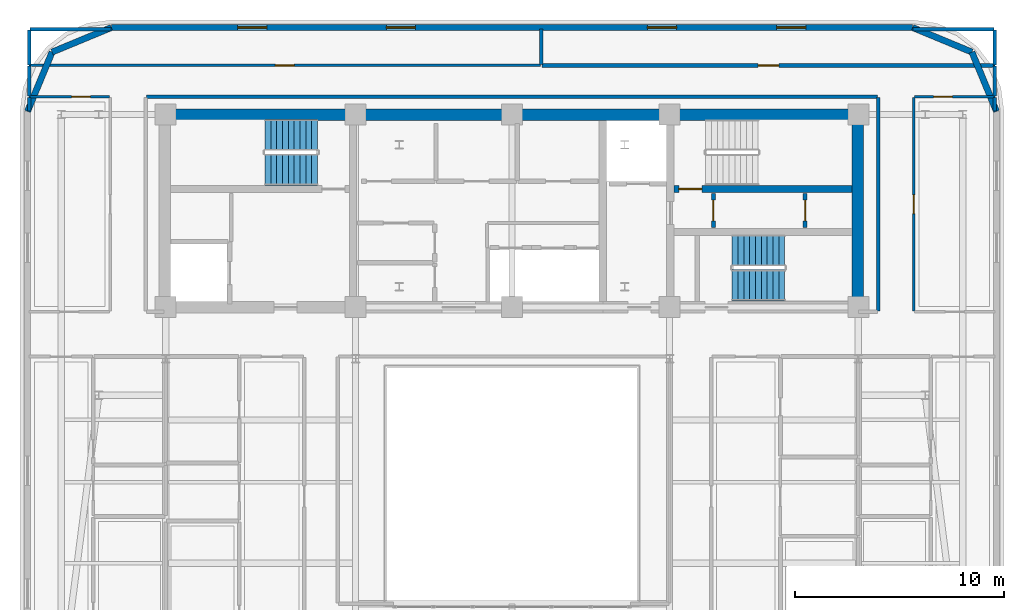
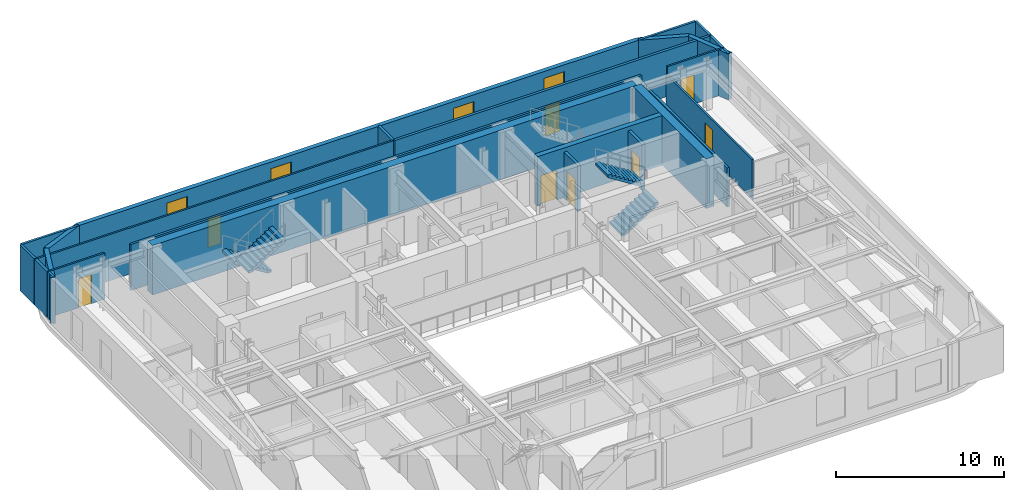
# One storey, part 10 of 15: 26 walls, 8 doors, 4 stair flights, 4 windows, 12 openings, 2 elements without a shape of their own.
"""IFC4 building model written with IfcOpenShell, lengths in metres."""

from ifc_helpers import new_model, si_unit, direction, frame, frame_2d, origin, place, context, subcontext, project, spatial, polyline, rectangle, outline, extrude, material, layer, layer_set, type_object, element, fill, aggregate, save


model = new_model("IFC4")

# Units and contexts
model_context = context("Model", 3, precision=1e-05, world=origin(), true_north=direction((0.0, 1.0)))
body_context = subcontext(model_context, "Body", "Model", "MODEL_VIEW")
ifc_project = project(units=[si_unit("LENGTHUNIT", "METRE"), si_unit("AREAUNIT", "SQUARE_METRE"), si_unit("VOLUMEUNIT", "CUBIC_METRE"), si_unit("PLANEANGLEUNIT", "RADIAN"), si_unit("MASSUNIT", "GRAM", prefix="KILO")], contexts=[model_context])

# Site, building, storey
site_placement = place(None, origin())
site = spatial("IfcSite", under=ifc_project, at=site_placement, CompositionType="ELEMENT")
building_placement = place(site_placement, origin())
building = spatial("IfcBuilding", under=site, at=building_placement, Name="Zarnavel Station Tower", CompositionType="ELEMENT")
storey_placement = place(building_placement, frame((0.0, 0.0, 200.39990234375)))
storey = spatial("IfcBuildingStorey", under=building, at=storey_placement, Name="L54", CompositionType="ELEMENT", Elevation=200.39990234375)

# Wall, opening, door
ifc_material_1 = material(Name="Concrete C50/60", Category="concrete")
ifc_layer_1 = layer(ifc_material_1, 0.35009765625)
ifc_layer_set_1 = layer_set([ifc_layer_1], Name="CW_350")
wall_type_1 = type_object("IfcWallType", Name="CW_350", PredefinedType="SHEAR", material=ifc_layer_set_1)
wall_1_placement = place(storey_placement, frame((45.10498046875, 33.47998046875, 0.0), z_axis=(0.0, 0.0, 1.0), x_axis=(-1.0, 0.0, 0.0)))
wall_1 = element("IfcWall", 1, at=wall_1_placement, inside=storey, type_object=wall_type_1, Name="L54 Rear Core Shear Wall DIV-H2", PredefinedType="SHEAR", context=body_context, shape_type="SweptSolid", body=[
    extrude(rectangle(XDim=8.550048828125, YDim=0.35009765625, at=frame_2d((4.27490234375, 0.0))), origin(), (0.0, 0.0, 1.0), 3.60009765625),
])
opening_1_placement = place(wall_1_placement, frame((7.205078125, 0.0, 0.0)))
opening_1 = element("IfcOpeningElement", 2, at=opening_1_placement, cuts=wall_1, Name="Opening FD01", PredefinedType="OPENING", context=body_context, shape_type="SweptSolid", body=[
    extrude(rectangle(XDim=1.10009765625, YDim=2.14990234375, at=frame_2d((0.550048828125, 1.074951171875))), frame((0.0, 0.18505859375, 0.0), z_axis=(0.0, -1.0, 0.0), x_axis=(1.0, 0.0, 0.0)), (0.0, 0.0, 1.0), 0.3701171875),
])
ifc_material_2 = material(Name="Painted Galvanised Steel and Hardwood Leaf", Category="steel")
door_type_1 = type_object("IfcDoorType", Name="ID_STAIR_1100", OperationType="NOTDEFINED", PredefinedType="DOOR", material=ifc_material_2)
door_1_placement = place(opening_1_placement, origin())
door_1 = element("IfcDoor", 3, at=door_1_placement, inside=storey, type_object=door_type_1, Name="L54 Stair ST2 Lobby Fire Door", OperationType="SINGLE_SWING_RIGHT", OverallHeight=2.14990234375, OverallWidth=1.10009765625, PredefinedType="DOOR", context=body_context, shape_type="SweptSolid", body=[
    extrude(rectangle(XDim=1.10009765625, YDim=2.14990234375, at=frame_2d((0.550048828125, 1.074951171875))), frame((0.0, 0.02490234375, 0.0), z_axis=(0.0, -1.0, 0.0), x_axis=(1.0, 0.0, 0.0)), (0.0, 0.0, 1.0), 0.050048828125),
])
fill(opening_1, door_1)

# Walls
ifc_material_3 = material(Name="Concrete C50/60", Category="concrete")
ifc_layer_2 = layer(ifc_material_3, 0.550048828125)
ifc_layer_set_2 = layer_set([ifc_layer_2], Name="CW_550")
wall_type_2 = type_object("IfcWallType", Name="CW_550", PredefinedType="SHEAR", material=ifc_layer_set_2)
wall_2_placement = place(storey_placement, frame((12.14990234375, 37.050048828125, 0.0), z_axis=(0.0, 0.0, 1.0), x_axis=(1.0, 0.0, 0.0)))
element("IfcWall", 4, at=wall_2_placement, inside=storey, type_object=wall_type_2, Name="L54 Rear Core Shear Wall N", PredefinedType="SHEAR", context=body_context, shape_type="SweptSolid", body=[
    extrude(rectangle(XDim=33.22998046875, YDim=0.550048828125, at=frame_2d((16.614990234375, 0.0))), origin(), (0.0, 0.0, 1.0), 3.60009765625),
])
wall_3_placement = place(storey_placement, frame((45.3798828125, 28.094970703125, 0.0), z_axis=(0.0, 0.0, 1.0), x_axis=(0.0, 1.0, 0.0)))
element("IfcWall", 5, at=wall_3_placement, inside=storey, type_object=wall_type_2, Name="L54 Rear Core Shear Wall E", PredefinedType="SHEAR", context=body_context, shape_type="SweptSolid", body=[
    extrude(rectangle(XDim=8.679931640625, YDim=0.550048828125, at=frame_2d((4.33984375, 0.0))), origin(), (0.0, 0.0, 1.0), 3.60009765625),
])
ifc_material_4 = material(Name="Precast concrete C45/55 (Dark Basalt Finish)", Category="masonry")
ifc_layer_3 = layer(ifc_material_4, 0.300048828125)
ifc_layer_set_3 = layer_set([ifc_layer_3], Name="EW_BASALT_300")
wall_type_3 = type_object("IfcWallType", Name="EW_BASALT_300", PredefinedType="SOLIDWALL", material=ifc_layer_set_3)
for number, where, z_axis, x_axis, name in (
    (6, (50.842529296875, 40.04248046875, 0.0), (0.0, 0.0, 1.0), (0.382704529509, -0.923870793506, 0.0), "L54 Exterior Basalt Masonry Frame Wall 04"),
    (7, (48.0, 41.219970703125, 0.0), (0.0, 0.0, 1.0), (0.923870793506, -0.382704529509, 0.0), "L54 Exterior Basalt Masonry Frame Wall 05"),
):
    element("IfcWall", number, at=place(storey_placement, frame(where, z_axis=z_axis, x_axis=x_axis)), inside=storey, type_object=wall_type_3, Name=name, PredefinedType="SOLIDWALL", context=body_context, shape_type="SweptSolid", body=[
        extrude(rectangle(XDim=3.07666015625, YDim=0.300048828125, at=frame_2d((1.538330078125, 0.0))), origin(), (0.0, 0.0, 1.0), 3.340087890625),
    ])

# Wall, openings, windows
wall_4_placement = place(storey_placement, frame((9.60009765625, 41.219970703125, 0.0), z_axis=(0.0, 0.0, 1.0), x_axis=(1.0, 0.0, 0.0)))
wall_4 = element("IfcWall", 8, at=wall_4_placement, inside=storey, type_object=wall_type_3, Name="L54 Exterior Basalt Masonry Frame Wall 06", PredefinedType="SOLIDWALL", context=body_context, shape_type="SweptSolid", body=[
    extrude(rectangle(XDim=38.39990234375, YDim=0.300048828125, at=frame_2d((19.199951171875, 0.0))), origin(), (0.0, 0.0, 1.0), 3.340087890625),
])
opening_2_placement = place(wall_4_placement, frame((6.046630859375, 0.0, 0.75)))
opening_2 = element("IfcOpeningElement", 9, at=opening_2_placement, cuts=wall_4, Name="Opening WN04", PredefinedType="OPENING", context=body_context, shape_type="SweptSolid", body=[
    extrude(rectangle(XDim=1.39990234375, YDim=2.10009765625, at=frame_2d((0.699951171875, 1.050048828125))), frame((0.0, 0.159912109375, 0.0), z_axis=(0.0, -1.0, 0.0), x_axis=(1.0, 0.0, 0.0)), (0.0, 0.0, 1.0), 0.320068359375),
])
opening_3_placement = place(wall_4_placement, frame((13.17333984375, 0.0, 0.75)))
opening_3 = element("IfcOpeningElement", 10, at=opening_3_placement, cuts=wall_4, Name="Opening WN04", PredefinedType="OPENING", context=body_context, shape_type="SweptSolid", body=[
    extrude(rectangle(XDim=1.39990234375, YDim=2.10009765625, at=frame_2d((0.699951171875, 1.050048828125))), frame((0.0, 0.159912109375, 0.0), z_axis=(0.0, -1.0, 0.0), x_axis=(1.0, 0.0, 0.0)), (0.0, 0.0, 1.0), 0.320068359375),
])
opening_4_placement = place(wall_4_placement, frame((25.693359375, 0.0, 0.75)))
opening_4 = element("IfcOpeningElement", 11, at=opening_4_placement, cuts=wall_4, Name="Opening WN04", PredefinedType="OPENING", context=body_context, shape_type="SweptSolid", body=[
    extrude(rectangle(XDim=1.39990234375, YDim=2.10009765625, at=frame_2d((0.699951171875, 1.050048828125))), frame((0.0, 0.159912109375, 0.0), z_axis=(0.0, -1.0, 0.0), x_axis=(1.0, 0.0, 0.0)), (0.0, 0.0, 1.0), 0.320068359375),
])
opening_5_placement = place(wall_4_placement, frame((31.88671875, 0.0, 0.75)))
opening_5 = element("IfcOpeningElement", 12, at=opening_5_placement, cuts=wall_4, Name="Opening WN04", PredefinedType="OPENING", context=body_context, shape_type="SweptSolid", body=[
    extrude(rectangle(XDim=1.39990234375, YDim=2.10009765625, at=frame_2d((0.699951171875, 1.050048828125))), frame((0.0, 0.159912109375, 0.0), z_axis=(0.0, -1.0, 0.0), x_axis=(1.0, 0.0, 0.0)), (0.0, 0.0, 1.0), 0.320068359375),
])
ifc_material_5 = material(Name="Thermally Broken Black Aluminium and Low-E Dark Glass", Category="aluminium")
window_type = type_object("IfcWindowType", Name="WN_1400x2100", PartitioningType="DOUBLE_PANEL_VERTICAL", PredefinedType="WINDOW", material=ifc_material_5)
window_1_placement = place(opening_2_placement, origin())
window_1 = element("IfcWindow", 13, at=window_1_placement, inside=storey, type_object=window_type, Name="L54 Recessed Facade Window 01", OverallHeight=2.10009765625, OverallWidth=1.39990234375, PartitioningType="SINGLE_PANEL", PredefinedType="WINDOW", context=body_context, shape_type="SweptSolid", body=[
    extrude(rectangle(XDim=1.39990234375, YDim=2.10009765625, at=frame_2d((0.699951171875, 1.050048828125))), frame((0.0, 0.030029296875, 0.0), z_axis=(0.0, -1.0, 0.0), x_axis=(1.0, 0.0, 0.0)), (0.0, 0.0, 1.0), 0.06005859375),
])
fill(opening_2, window_1)
window_2_placement = place(opening_3_placement, origin())
window_2 = element("IfcWindow", 14, at=window_2_placement, inside=storey, type_object=window_type, Name="L54 Recessed Facade Window 02", OverallHeight=2.10009765625, OverallWidth=1.39990234375, PartitioningType="SINGLE_PANEL", PredefinedType="WINDOW", context=body_context, shape_type="SweptSolid", body=[
    extrude(rectangle(XDim=1.39990234375, YDim=2.10009765625, at=frame_2d((0.699951171875, 1.050048828125))), frame((0.0, 0.030029296875, 0.0), z_axis=(0.0, -1.0, 0.0), x_axis=(1.0, 0.0, 0.0)), (0.0, 0.0, 1.0), 0.06005859375),
])
fill(opening_3, window_2)
window_3_placement = place(opening_4_placement, origin())
window_3 = element("IfcWindow", 15, at=window_3_placement, inside=storey, type_object=window_type, Name="L54 Recessed Facade Window 03", OverallHeight=2.10009765625, OverallWidth=1.39990234375, PartitioningType="SINGLE_PANEL", PredefinedType="WINDOW", context=body_context, shape_type="SweptSolid", body=[
    extrude(rectangle(XDim=1.39990234375, YDim=2.10009765625, at=frame_2d((0.699951171875, 1.050048828125))), frame((0.0, 0.030029296875, 0.0), z_axis=(0.0, -1.0, 0.0), x_axis=(1.0, 0.0, 0.0)), (0.0, 0.0, 1.0), 0.06005859375),
])
fill(opening_4, window_3)
window_4_placement = place(opening_5_placement, origin())
window_4 = element("IfcWindow", 16, at=window_4_placement, inside=storey, type_object=window_type, Name="L54 Recessed Facade Window 04", OverallHeight=2.10009765625, OverallWidth=1.39990234375, PartitioningType="SINGLE_PANEL", PredefinedType="WINDOW", context=body_context, shape_type="SweptSolid", body=[
    extrude(rectangle(XDim=1.39990234375, YDim=2.10009765625, at=frame_2d((0.699951171875, 1.050048828125))), frame((0.0, 0.030029296875, 0.0), z_axis=(0.0, -1.0, 0.0), x_axis=(1.0, 0.0, 0.0)), (0.0, 0.0, 1.0), 0.06005859375),
])
fill(opening_5, window_4)

# Walls
wall_5_placement = place(storey_placement, frame((6.75732421875, 40.04248046875, 0.0), z_axis=(0.0, 0.0, 1.0), x_axis=(0.923882414032, 0.382676475685, 0.0)))
element("IfcWall", 17, at=wall_5_placement, inside=storey, type_object=wall_type_3, Name="L54 Exterior Basalt Masonry Frame Wall 07", PredefinedType="SOLIDWALL", context=body_context, shape_type="SweptSolid", body=[
    extrude(rectangle(XDim=3.076904296875, YDim=0.300048828125, at=frame_2d((1.53857421875, 0.0))), origin(), (0.0, 0.0, 1.0), 3.340087890625),
])
wall_6_placement = place(storey_placement, frame((5.580078125, 37.199951171875, 0.0), z_axis=(0.0, 0.0, 1.0), x_axis=(0.382636798336, 0.92389884758, 0.0)))
element("IfcWall", 18, at=wall_6_placement, inside=storey, type_object=wall_type_3, Name="L54 Exterior Basalt Masonry Frame Wall 08", PredefinedType="SOLIDWALL", context=body_context, shape_type="SweptSolid", body=[
    extrude(rectangle(XDim=3.07666015625, YDim=0.300048828125, at=frame_2d((1.538330078125, 0.0))), origin(), (0.0, 0.0, 1.0), 3.340087890625),
])
ifc_material_6 = material(Name="Gypsum Twin-Stud Acoustic Fire Partition", Category="concrete")
ifc_layer_4 = layer(ifc_material_6, 0.159912109375)
ifc_layer_set_4 = layer_set([ifc_layer_4], Name="PT_DEMISE_160")
wall_type_4 = type_object("IfcWallType", Name="PT_DEMISE_160", PredefinedType="PARTITIONING", material=ifc_layer_set_4)
wall_7_placement = place(storey_placement, frame((46.35009765625, 27.6298828125, 0.0), z_axis=(0.0, 0.0, 1.0), x_axis=(0.0, 1.0, 0.0)))
element("IfcWall", 19, at=wall_7_placement, inside=storey, type_object=wall_type_4, Name="L54 Enclosure Wall COR-E", PredefinedType="PARTITIONING", context=body_context, shape_type="SweptSolid", body=[
    extrude(rectangle(XDim=10.240234375, YDim=0.159912109375, at=frame_2d((5.1201171875, 0.0))), origin(), (0.0, 0.0, 1.0), 2.820068359375),
])
wall_8_placement = place(storey_placement, frame((11.280029296875, 37.89990234375, 0.0), z_axis=(0.0, 0.0, 1.0), x_axis=(1.0, 0.0, 0.0)))
element("IfcWall", 20, at=wall_8_placement, inside=storey, type_object=wall_type_4, Name="L54 Enclosure Wall COR-N", PredefinedType="PARTITIONING", context=body_context, shape_type="SweptSolid", body=[
    extrude(rectangle(XDim=35.0400390625, YDim=0.159912109375, at=frame_2d((17.52001953125, 0.0))), origin(), (0.0, 0.0, 1.0), 3.340087890625),
])
for number, where, z_axis, x_axis, name in (
    (21, (5.659912109375, 37.929931640625, 0.0), (0.0, 0.0, 1.0), (0.0, 1.0, 0.0), "L54 Enclosure Wall COR-N"),
    (22, (51.93994140625, 37.929931640625, 0.0), (0.0, 0.0, 1.0), (0.0, 1.0, 0.0), "L54 Enclosure Wall COR-N"),
):
    element("IfcWall", number, at=place(storey_placement, frame(where, z_axis=z_axis, x_axis=x_axis)), inside=storey, type_object=wall_type_4, Name=name, PredefinedType="PARTITIONING", context=body_context, shape_type="SweptSolid", body=[
        extrude(rectangle(XDim=1.440185546875, YDim=0.159912109375, at=frame_2d((0.72021484375, 0.0))), origin(), (0.0, 0.0, 1.0), 3.340087890625),
    ])
for number, where, z_axis, x_axis, name in (
    (23, (5.659912109375, 37.22998046875, 0.0), (0.0, 0.0, 1.0), (0.0, 1.0, 0.0), "L54 Enclosure Wall FNW"),
    (24, (51.93994140625, 37.22998046875, 0.0), (0.0, 0.0, 1.0), (0.0, 1.0, 0.0), "L54 Enclosure Wall FNE"),
):
    element("IfcWall", number, at=place(storey_placement, frame(where, z_axis=z_axis, x_axis=x_axis)), inside=storey, type_object=wall_type_4, Name=name, PredefinedType="PARTITIONING", context=body_context, shape_type="SweptSolid", body=[
        extrude(rectangle(XDim=0.64013671875, YDim=0.159912109375, at=frame_2d((0.320068359375, 0.0))), origin(), (0.0, 0.0, 1.0), 3.340087890625),
    ])
wall_9_placement = place(storey_placement, frame((5.68994140625, 41.139892578125, 0.0), z_axis=(0.0, 0.0, 1.0), x_axis=(1.0, 0.0, 0.0)))
element("IfcWall", 25, at=wall_9_placement, inside=storey, type_object=wall_type_4, Name="L54 Enclosure Wall NLOU", PredefinedType="PARTITIONING", context=body_context, shape_type="SweptSolid", body=[
    extrude(rectangle(XDim=3.880126953125, YDim=0.159912109375, at=frame_2d((1.93994140625, 0.0))), origin(), (0.0, 0.0, 1.0), 3.340087890625),
])
wall_10_placement = place(storey_placement, frame((5.659912109375, 39.429931640625, 0.0), z_axis=(0.0, 0.0, 1.0), x_axis=(0.0, 1.0, 0.0)))
element("IfcWall", 26, at=wall_10_placement, inside=storey, type_object=wall_type_4, Name="L54 Enclosure Wall NLOU", PredefinedType="PARTITIONING", context=body_context, shape_type="SweptSolid", body=[
    extrude(rectangle(XDim=1.68017578125, YDim=0.159912109375, at=frame_2d((0.840087890625, 0.0))), origin(), (0.0, 0.0, 1.0), 3.340087890625),
])
wall_11_placement = place(storey_placement, frame((48.030029296875, 41.139892578125, 0.0), z_axis=(0.0, 0.0, 1.0), x_axis=(1.0, 0.0, 0.0)))
element("IfcWall", 27, at=wall_11_placement, inside=storey, type_object=wall_type_4, Name="L54 Enclosure Wall NPAN", PredefinedType="PARTITIONING", context=body_context, shape_type="SweptSolid", body=[
    extrude(rectangle(XDim=3.8798828125, YDim=0.159912109375, at=frame_2d((1.93994140625, 0.0))), origin(), (0.0, 0.0, 1.0), 3.340087890625),
])
wall_12_placement = place(storey_placement, frame((51.93994140625, 39.429931640625, 0.0), z_axis=(0.0, 0.0, 1.0), x_axis=(0.0, 1.0, 0.0)))
element("IfcWall", 28, at=wall_12_placement, inside=storey, type_object=wall_type_4, Name="L54 Enclosure Wall NPAN", PredefinedType="PARTITIONING", context=body_context, shape_type="SweptSolid", body=[
    extrude(rectangle(XDim=1.68017578125, YDim=0.159912109375, at=frame_2d((0.840087890625, 0.0))), origin(), (0.0, 0.0, 1.0), 3.340087890625),
])

# Wall, opening, door
ifc_material_7 = material(Name="Gypsum Metal-Stud Interior Partition", Category="concrete")
ifc_layer_5 = layer(ifc_material_7, 0.1201171875)
ifc_layer_set_5 = layer_set([ifc_layer_5], Name="PT_ROOM_120")
wall_type_5 = type_object("IfcWallType", Name="PT_ROOM_120", PredefinedType="PARTITIONING", material=ifc_layer_set_5)
wall_13_placement = place(storey_placement, frame((48.050048828125, 27.639892578125, 0.0), z_axis=(0.0, 0.0, 1.0), x_axis=(0.0, 1.0, 0.0)))
wall_13 = element("IfcWall", 29, at=wall_13_placement, inside=storey, type_object=wall_type_5, Name="L54 Partition COR-E-FNE", PredefinedType="PARTITIONING", context=body_context, shape_type="SweptSolid", body=[
    extrude(rectangle(XDim=10.22021484375, YDim=0.1201171875, at=frame_2d((5.110107421875, 0.0))), origin(), (0.0, 0.0, 1.0), 2.820068359375),
])
opening_6_placement = place(wall_13_placement, frame((4.659912109375, 0.0, 0.0)))
opening_6 = element("IfcOpeningElement", 30, at=opening_6_placement, cuts=wall_13, Name="Opening ID01", PredefinedType="OPENING", context=body_context, shape_type="SweptSolid", body=[
    extrude(rectangle(XDim=0.89990234375, YDim=2.10009765625, at=frame_2d((0.449951171875, 1.050048828125))), frame((0.0, 0.070068359375, 0.0), z_axis=(0.0, -1.0, 0.0), x_axis=(1.0, 0.0, 0.0)), (0.0, 0.0, 1.0), 0.14013671875),
])
ifc_material_8 = material(Name="Painted Galvanised Steel and Hardwood Leaf", Category="steel")
door_type_2 = type_object("IfcDoorType", Name="ID_ROOM_900", OperationType="NOTDEFINED", PredefinedType="DOOR", material=ifc_material_8)
door_2_placement = place(opening_6_placement, origin())
door_2 = element("IfcDoor", 31, at=door_2_placement, inside=storey, type_object=door_type_2, Name="L54 Door COR-E-FNE", OperationType="SINGLE_SWING_LEFT", OverallHeight=2.10009765625, OverallWidth=0.89990234375, PredefinedType="DOOR", context=body_context, shape_type="SweptSolid", body=[
    extrude(rectangle(XDim=0.89990234375, YDim=2.10009765625, at=frame_2d((0.449951171875, 1.050048828125))), frame((0.0, 0.02490234375, 0.0), z_axis=(0.0, -1.0, 0.0), x_axis=(1.0, 0.0, 0.0)), (0.0, 0.0, 1.0), 0.050048828125),
])
fill(opening_6, door_2)

wall_14_placement = place(storey_placement, frame((5.659912109375, 37.89990234375, 0.0), z_axis=(0.0, 0.0, 1.0), x_axis=(1.0, 0.0, 0.0)))
wall_14 = element("IfcWall", 32, at=wall_14_placement, inside=storey, type_object=wall_type_5, Name="L54 Partition COR-N-FNW", PredefinedType="PARTITIONING", context=body_context, shape_type="SweptSolid", body=[
    extrude(rectangle(XDim=3.85009765625, YDim=0.1201171875, at=frame_2d((1.925048828125, 0.0))), origin(), (0.0, 0.0, 1.0), 3.340087890625),
])
opening_7_placement = place(wall_14_placement, frame((2.03125, 0.0, 0.0)))
opening_7 = element("IfcOpeningElement", 33, at=opening_7_placement, cuts=wall_14, Name="Opening ID01", PredefinedType="OPENING", context=body_context, shape_type="SweptSolid", body=[
    extrude(rectangle(XDim=0.89990234375, YDim=2.10009765625, at=frame_2d((0.449951171875, 1.050048828125))), frame((0.0, 0.070068359375, 0.0), z_axis=(0.0, -1.0, 0.0), x_axis=(1.0, 0.0, 0.0)), (0.0, 0.0, 1.0), 0.14013671875),
])
door_3_placement = place(opening_7_placement, origin())
door_3 = element("IfcDoor", 34, at=door_3_placement, inside=storey, type_object=door_type_2, Name="L54 Door COR-N-FNW", OperationType="SINGLE_SWING_RIGHT", OverallHeight=2.10009765625, OverallWidth=0.89990234375, PredefinedType="DOOR", context=body_context, shape_type="SweptSolid", body=[
    extrude(rectangle(XDim=0.89990234375, YDim=2.10009765625, at=frame_2d((0.449951171875, 1.050048828125))), frame((0.0, 0.02490234375, 0.0), z_axis=(0.0, -1.0, 0.0), x_axis=(1.0, 0.0, 0.0)), (0.0, 0.0, 1.0), 0.050048828125),
])
fill(opening_7, door_3)

wall_15_placement = place(storey_placement, frame((48.090087890625, 37.89990234375, 0.0), z_axis=(0.0, 0.0, 1.0), x_axis=(1.0, 0.0, 0.0)))
wall_15 = element("IfcWall", 35, at=wall_15_placement, inside=storey, type_object=wall_type_5, Name="L54 Partition COR-N-FNE", PredefinedType="PARTITIONING", context=body_context, shape_type="SweptSolid", body=[
    extrude(rectangle(XDim=3.849853515625, YDim=0.1201171875, at=frame_2d((1.9248046875, 0.0))), origin(), (0.0, 0.0, 1.0), 3.340087890625),
])
opening_8_placement = place(wall_15_placement, frame((0.918701171875, 0.0, 0.0)))
opening_8 = element("IfcOpeningElement", 36, at=opening_8_placement, cuts=wall_15, Name="Opening ID01", PredefinedType="OPENING", context=body_context, shape_type="SweptSolid", body=[
    extrude(rectangle(XDim=0.89990234375, YDim=2.10009765625, at=frame_2d((0.449951171875, 1.050048828125))), frame((0.0, 0.070068359375, 0.0), z_axis=(0.0, -1.0, 0.0), x_axis=(1.0, 0.0, 0.0)), (0.0, 0.0, 1.0), 0.14013671875),
])
door_4_placement = place(opening_8_placement, origin())
door_4 = element("IfcDoor", 37, at=door_4_placement, inside=storey, type_object=door_type_2, Name="L54 Door COR-N-FNE", OperationType="SINGLE_SWING_LEFT", OverallHeight=2.10009765625, OverallWidth=0.89990234375, PredefinedType="DOOR", context=body_context, shape_type="SweptSolid", body=[
    extrude(rectangle(XDim=0.89990234375, YDim=2.10009765625, at=frame_2d((0.449951171875, 1.050048828125))), frame((0.0, 0.02490234375, 0.0), z_axis=(0.0, -1.0, 0.0), x_axis=(1.0, 0.0, 0.0)), (0.0, 0.0, 1.0), 0.050048828125),
])
fill(opening_8, door_4)

wall_16_placement = place(storey_placement, frame((5.659912109375, 39.39990234375, 0.0), z_axis=(0.0, 0.0, 1.0), x_axis=(1.0, 0.0, 0.0)))
wall_16 = element("IfcWall", 38, at=wall_16_placement, inside=storey, type_object=wall_type_5, Name="L54 Partition COR-N-NLOU", PredefinedType="PARTITIONING", context=body_context, shape_type="SweptSolid", body=[
    extrude(rectangle(XDim=24.5, YDim=0.1201171875, at=frame_2d((12.25, 0.0))), origin(), (0.0, 0.0, 1.0), 3.340087890625),
])
opening_9_placement = place(wall_16_placement, frame((11.800048828125, 0.0, 0.0)))
opening_9 = element("IfcOpeningElement", 39, at=opening_9_placement, cuts=wall_16, Name="Opening ID01", PredefinedType="OPENING", context=body_context, shape_type="SweptSolid", body=[
    extrude(rectangle(XDim=0.89990234375, YDim=2.10009765625, at=frame_2d((0.449951171875, 1.050048828125))), frame((0.0, 0.070068359375, 0.0), z_axis=(0.0, -1.0, 0.0), x_axis=(1.0, 0.0, 0.0)), (0.0, 0.0, 1.0), 0.14013671875),
])
door_5_placement = place(opening_9_placement, origin())
door_5 = element("IfcDoor", 40, at=door_5_placement, inside=storey, type_object=door_type_2, Name="L54 Door COR-N-NLOU", OperationType="SINGLE_SWING_RIGHT", OverallHeight=2.10009765625, OverallWidth=0.89990234375, PredefinedType="DOOR", context=body_context, shape_type="SweptSolid", body=[
    extrude(rectangle(XDim=0.89990234375, YDim=2.10009765625, at=frame_2d((0.449951171875, 1.050048828125))), frame((0.0, 0.02490234375, 0.0), z_axis=(0.0, -1.0, 0.0), x_axis=(1.0, 0.0, 0.0)), (0.0, 0.0, 1.0), 0.050048828125),
])
fill(opening_9, door_5)

ifc_material_9 = material(Name="Precast concrete C45/55 (Fire Shaft Blockwork)", Category="masonry")
ifc_layer_6 = layer(ifc_material_9, 0.199951171875)
ifc_layer_set_6 = layer_set([ifc_layer_6], Name="PT_SHAFT_200")
wall_type_6 = type_object("IfcWallType", Name="PT_SHAFT_200", PredefinedType="PARTITIONING", material=ifc_layer_set_6)
wall_17_placement = place(storey_placement, frame((38.449951171875, 31.639892578125, 0.0), z_axis=(0.0, 0.0, 1.0), x_axis=(0.0, 1.0, 0.0)))
wall_17 = element("IfcWall", 41, at=wall_17_placement, inside=storey, type_object=wall_type_6, Name="L54 Partition ESTV-CEA", PredefinedType="PARTITIONING", context=body_context, shape_type="SweptSolid", body=[
    extrude(rectangle(XDim=1.6201171875, YDim=0.199951171875, at=frame_2d((0.81005859375, 0.0))), origin(), (0.0, 0.0, 1.0), 3.340087890625),
])
opening_10_placement = place(wall_17_placement, frame((0.31005859375, 0.0, 0.0)))
opening_10 = element("IfcOpeningElement", 42, at=opening_10_placement, cuts=wall_17, Name="Opening FD02", PredefinedType="OPENING", context=body_context, shape_type="SweptSolid", body=[
    extrude(rectangle(XDim=1.0, YDim=2.14990234375, at=frame_2d((0.5, 1.074951171875))), frame((0.0, 0.10986328125, 0.0), z_axis=(0.0, -1.0, 0.0), x_axis=(1.0, 0.0, 0.0)), (0.0, 0.0, 1.0), 0.219970703125),
])
ifc_material_10 = material(Name="Painted Galvanised Steel and Hardwood Leaf", Category="steel")
door_type_3 = type_object("IfcDoorType", Name="ID_ENTRY_1000", OperationType="NOTDEFINED", PredefinedType="DOOR", material=ifc_material_10)
door_6_placement = place(opening_10_placement, origin())
door_6 = element("IfcDoor", 43, at=door_6_placement, inside=storey, type_object=door_type_3, Name="L54 Door ESTV-CEA", OperationType="SINGLE_SWING_LEFT", OverallHeight=2.14990234375, OverallWidth=1.0, PredefinedType="DOOR", context=body_context, shape_type="SweptSolid", body=[
    extrude(rectangle(XDim=1.0, YDim=2.14990234375, at=frame_2d((0.5, 1.074951171875))), frame((0.0, 0.02490234375, 0.0), z_axis=(0.0, -1.0, 0.0), x_axis=(1.0, 0.0, 0.0)), (0.0, 0.0, 1.0), 0.050048828125),
])
fill(opening_10, door_6)

wall_18_placement = place(storey_placement, frame((42.85009765625, 31.639892578125, 0.0), z_axis=(0.0, 0.0, 1.0), x_axis=(0.0, 1.0, 0.0)))
wall_18 = element("IfcWall", 44, at=wall_18_placement, inside=storey, type_object=wall_type_6, Name="L54 Partition CEA-CEB", PredefinedType="PARTITIONING", context=body_context, shape_type="SweptSolid", body=[
    extrude(rectangle(XDim=1.6201171875, YDim=0.199951171875, at=frame_2d((0.81005859375, 0.0))), origin(), (0.0, 0.0, 1.0), 3.340087890625),
])
opening_11_placement = place(wall_18_placement, frame((0.31005859375, 0.0, 0.0)))
opening_11 = element("IfcOpeningElement", 45, at=opening_11_placement, cuts=wall_18, Name="Opening FD02", PredefinedType="OPENING", context=body_context, shape_type="SweptSolid", body=[
    extrude(rectangle(XDim=1.0, YDim=2.14990234375, at=frame_2d((0.5, 1.074951171875))), frame((0.0, 0.10986328125, 0.0), z_axis=(0.0, -1.0, 0.0), x_axis=(1.0, 0.0, 0.0)), (0.0, 0.0, 1.0), 0.219970703125),
])
door_7_placement = place(opening_11_placement, origin())
door_7 = element("IfcDoor", 46, at=door_7_placement, inside=storey, type_object=door_type_3, Name="L54 Door CEA-CEB", OperationType="SINGLE_SWING_RIGHT", OverallHeight=2.14990234375, OverallWidth=1.0, PredefinedType="DOOR", context=body_context, shape_type="SweptSolid", body=[
    extrude(rectangle(XDim=1.0, YDim=2.14990234375, at=frame_2d((0.5, 1.074951171875))), frame((0.0, 0.02490234375, 0.0), z_axis=(0.0, -1.0, 0.0), x_axis=(1.0, 0.0, 0.0)), (0.0, 0.0, 1.0), 0.050048828125),
])
fill(opening_11, door_7)

ifc_material_11 = material(Name="Moisture-Resistant Plumbing Chase Wall", Category="concrete")
ifc_layer_7 = layer(ifc_material_11, 0.179931640625)
ifc_layer_set_7 = layer_set([ifc_layer_7], Name="PW_PLUMB_180")
wall_type_7 = type_object("IfcWallType", Name="PW_PLUMB_180", PredefinedType="PLUMBINGWALL", material=ifc_layer_set_7)
wall_19_placement = place(storey_placement, frame((30.239990234375, 39.39990234375, 0.0), z_axis=(0.0, 0.0, 1.0), x_axis=(1.0, 0.0, 0.0)))
wall_19 = element("IfcWall", 47, at=wall_19_placement, inside=storey, type_object=wall_type_7, Name="L54 Partition COR-N-NPAN", PredefinedType="PLUMBINGWALL", context=body_context, shape_type="SweptSolid", body=[
    extrude(rectangle(XDim=21.699951171875, YDim=0.179931640625, at=frame_2d((10.85009765625, 0.0))), origin(), (0.0, 0.0, 1.0), 3.340087890625),
])
opening_12_placement = place(wall_19_placement, frame((10.35009765625, 0.0, 0.0)))
opening_12 = element("IfcOpeningElement", 48, at=opening_12_placement, cuts=wall_19, Name="Opening FD02", PredefinedType="OPENING", context=body_context, shape_type="SweptSolid", body=[
    extrude(rectangle(XDim=1.0, YDim=2.14990234375, at=frame_2d((0.5, 1.074951171875))), frame((0.0, 0.099853515625, 0.0), z_axis=(0.0, -1.0, 0.0), x_axis=(1.0, 0.0, 0.0)), (0.0, 0.0, 1.0), 0.199951171875),
])
door_8_placement = place(opening_12_placement, origin())
door_8 = element("IfcDoor", 49, at=door_8_placement, inside=storey, type_object=door_type_3, Name="L54 Door COR-N-NPAN", OperationType="SINGLE_SWING_LEFT", OverallHeight=2.14990234375, OverallWidth=1.0, PredefinedType="DOOR", context=body_context, shape_type="SweptSolid", body=[
    extrude(rectangle(XDim=1.0, YDim=2.14990234375, at=frame_2d((0.5, 1.074951171875))), frame((0.0, 0.02490234375, 0.0), z_axis=(0.0, -1.0, 0.0), x_axis=(1.0, 0.0, 0.0)), (0.0, 0.0, 1.0), 0.050048828125),
])
fill(opening_12, door_8)

# Wall
wall_20_placement = place(storey_placement, frame((30.199951171875, 39.43994140625, 0.0), z_axis=(0.0, 0.0, 1.0), x_axis=(0.0, 1.0, 0.0)))
element("IfcWall", 50, at=wall_20_placement, inside=storey, type_object=wall_type_7, Name="L54 Partition NLOU-NPAN", PredefinedType="PLUMBINGWALL", context=body_context, shape_type="SweptSolid", body=[
    extrude(rectangle(XDim=1.699951171875, YDim=0.179931640625, at=frame_2d((0.85009765625, 0.0))), origin(), (0.0, 0.0, 1.0), 3.340087890625),
])

# Stair, stair flights
ifc_material_12 = material(Name="Concrete C45/55", Category="concrete")
stair_type = type_object("IfcStairType", Name="ST_CORE_150", PredefinedType="HALF_TURN_STAIR", material=ifc_material_12)
stair_1_placement = place(storey_placement, origin())
stair_1 = element("IfcStair", 51, at=stair_1_placement, inside=storey, type_object=stair_type, Name="L54 Core Exit Stair ST1", PredefinedType="HALF_TURN_STAIR")
ifc_material_13 = material(Name="Concrete C45/55", Category="concrete")
ifc_layer_8 = layer(ifc_material_13, 0.179931640625)
ifc_layer_set_8 = layer_set([ifc_layer_8], Name="ST_CORE_150_FLT")
stair_flight_type = type_object("IfcStairFlightType", Name="ST_CORE_150_FLT", PredefinedType="STRAIGHT", material=ifc_layer_set_8)
stair_flight_1_placement = place(storey_placement, frame((19.47998046875, 36.070068359375, 0.0), z_axis=(0.0, 0.0, 1.0), x_axis=(-1.0, 0.0, 0.0)))
stair_flight_1 = element("IfcStairFlight", 52, at=stair_flight_1_placement, type_object=stair_flight_type, Name="ST1 flight 1", NumberOfRisers=10, NumberOfTreads=9, PredefinedType="STRAIGHT", RiserHeight=0.18, TreadLength=0.28, context=body_context, shape_type="SweptSolid", body=[
    extrude(outline(polyline([(0.0, 0.0), (0.0, 0.179931640625), (0.280029296875, 0.179931640625), (0.280029296875, 0.360107421875), (0.56005859375, 0.360107421875), (0.56005859375, 0.5400390625), (0.840087890625, 0.5400390625), (0.840087890625, 0.719970703125), (1.1201171875, 0.719970703125), (1.1201171875, 0.89990234375), (1.39990234375, 0.89990234375), (1.39990234375, 1.080078125), (1.679931640625, 1.080078125), (1.679931640625, 1.260009765625), (1.9599609375, 1.260009765625), (1.9599609375, 1.43994140625), (2.239990234375, 1.43994140625), (2.239990234375, 1.6201171875), (2.52001953125, 1.6201171875), (2.52001953125, 1.800048828125), (2.52001953125, 1.44189453125), (0.277099609375, 0.0), (0.0, 0.0)])), frame((0.0, 0.75, 0.0), z_axis=(0.0, -1.0, 0.0), x_axis=(1.0, 0.0, 0.0)), (0.0, 0.0, 1.0), 1.5),
])
stair_flight_2_placement = place(storey_placement, frame((16.9599609375, 34.409912109375, 1.800048828125), z_axis=(0.0, 0.0, 1.0), x_axis=(1.0, 0.0, 0.0)))
stair_flight_2 = element("IfcStairFlight", 53, at=stair_flight_2_placement, type_object=stair_flight_type, Name="ST1 flight 2", NumberOfRisers=10, NumberOfTreads=9, PredefinedType="STRAIGHT", RiserHeight=0.18, TreadLength=0.28, context=body_context, shape_type="SweptSolid", body=[
    extrude(outline(polyline([(0.0, 0.0), (0.0, 0.179931640625), (0.280029296875, 0.179931640625), (0.280029296875, 0.360107421875), (0.56005859375, 0.360107421875), (0.56005859375, 0.5400390625), (0.840087890625, 0.5400390625), (0.840087890625, 0.719970703125), (1.1201171875, 0.719970703125), (1.1201171875, 0.89990234375), (1.39990234375, 0.89990234375), (1.39990234375, 1.080078125), (1.679931640625, 1.080078125), (1.679931640625, 1.260009765625), (1.9599609375, 1.260009765625), (1.9599609375, 1.43994140625), (2.239990234375, 1.43994140625), (2.239990234375, 1.6201171875), (2.52001953125, 1.6201171875), (2.52001953125, 1.800048828125), (2.52001953125, 1.44189453125), (0.277099609375, 0.0), (0.0, 0.0)])), frame((0.0, 0.75, 0.0), z_axis=(0.0, -1.0, 0.0), x_axis=(1.0, 0.0, 0.0)), (0.0, 0.0, 1.0), 1.5),
])
aggregate(stair_1, [stair_flight_1, stair_flight_2])

stair_2_placement = place(storey_placement, origin())
stair_2 = element("IfcStair", 54, at=stair_2_placement, inside=storey, type_object=stair_type, Name="L54 Core Exit Stair ST3", PredefinedType="HALF_TURN_STAIR")
stair_flight_3_placement = place(storey_placement, frame((39.35009765625, 28.8701171875, 0.0), z_axis=(0.0, 0.0, 1.0), x_axis=(1.0, 0.0, 0.0)))
stair_flight_3 = element("IfcStairFlight", 55, at=stair_flight_3_placement, type_object=stair_flight_type, Name="ST3 flight 1", NumberOfRisers=10, NumberOfTreads=9, PredefinedType="STRAIGHT", RiserHeight=0.18, TreadLength=0.28, context=body_context, shape_type="SweptSolid", body=[
    extrude(outline(polyline([(0.0, 0.0), (0.0, 0.179931640625), (0.280029296875, 0.179931640625), (0.280029296875, 0.360107421875), (0.56005859375, 0.360107421875), (0.56005859375, 0.5400390625), (0.840087890625, 0.5400390625), (0.840087890625, 0.719970703125), (1.1201171875, 0.719970703125), (1.1201171875, 0.89990234375), (1.39990234375, 0.89990234375), (1.39990234375, 1.080078125), (1.679931640625, 1.080078125), (1.679931640625, 1.260009765625), (1.9599609375, 1.260009765625), (1.9599609375, 1.43994140625), (2.239990234375, 1.43994140625), (2.239990234375, 1.6201171875), (2.52001953125, 1.6201171875), (2.52001953125, 1.800048828125), (2.52001953125, 1.44189453125), (0.277099609375, 0.0), (0.0, 0.0)])), frame((0.0, 0.75, 0.0), z_axis=(0.0, -1.0, 0.0), x_axis=(1.0, 0.0, 0.0)), (0.0, 0.0, 1.0), 1.5),
])
stair_flight_4_placement = place(storey_placement, frame((41.8701171875, 30.530029296875, 1.800048828125), z_axis=(0.0, 0.0, 1.0), x_axis=(-1.0, 0.0, 0.0)))
stair_flight_4 = element("IfcStairFlight", 56, at=stair_flight_4_placement, type_object=stair_flight_type, Name="ST3 flight 2", NumberOfRisers=10, NumberOfTreads=9, PredefinedType="STRAIGHT", RiserHeight=0.18, TreadLength=0.28, context=body_context, shape_type="SweptSolid", body=[
    extrude(outline(polyline([(0.0, 0.0), (0.0, 0.179931640625), (0.280029296875, 0.179931640625), (0.280029296875, 0.360107421875), (0.56005859375, 0.360107421875), (0.56005859375, 0.5400390625), (0.840087890625, 0.5400390625), (0.840087890625, 0.719970703125), (1.1201171875, 0.719970703125), (1.1201171875, 0.89990234375), (1.39990234375, 0.89990234375), (1.39990234375, 1.080078125), (1.679931640625, 1.080078125), (1.679931640625, 1.260009765625), (1.9599609375, 1.260009765625), (1.9599609375, 1.43994140625), (2.239990234375, 1.43994140625), (2.239990234375, 1.6201171875), (2.52001953125, 1.6201171875), (2.52001953125, 1.800048828125), (2.52001953125, 1.44189453125), (0.277099609375, 0.0), (0.0, 0.0)])), frame((0.0, 0.75, 0.0), z_axis=(0.0, -1.0, 0.0), x_axis=(1.0, 0.0, 0.0)), (0.0, 0.0, 1.0), 1.5),
])
aggregate(stair_2, [stair_flight_3, stair_flight_4])

save(model, "model.ifc")
